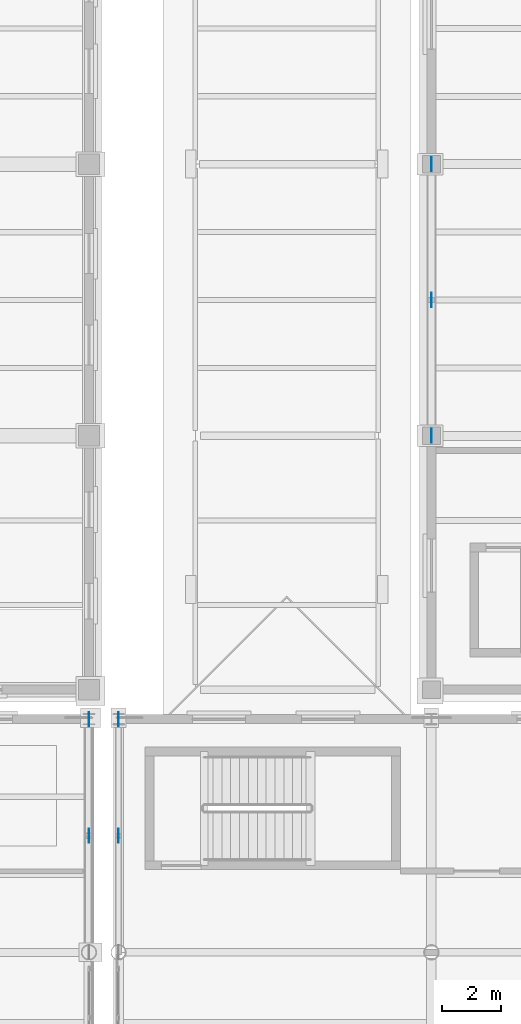
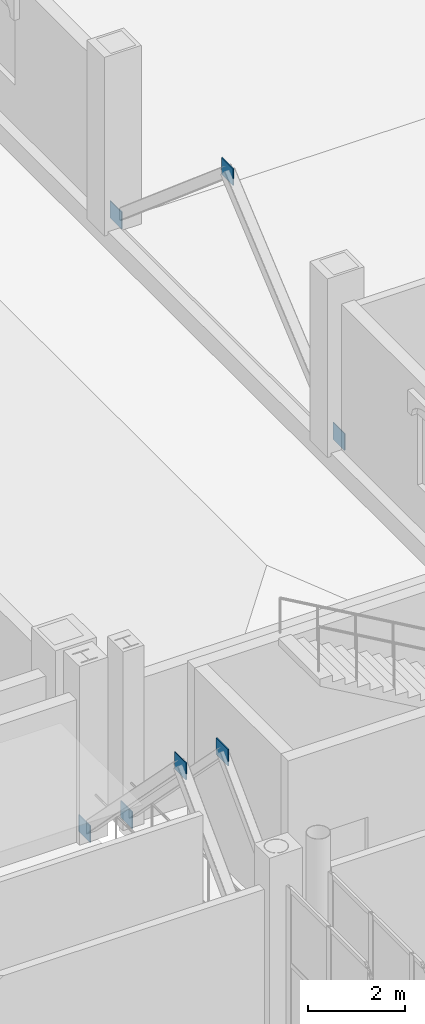
# One storey, part 115 of 156: 7 plates.
"""IFC4 building model written with IfcOpenShell, lengths in metres."""

from ifc_helpers import new_model, si_unit, direction, frame, origin, origin_2d, place, context, subcontext, project, spatial, rectangle, extrude, material, layer, layer_set, type_object, element, save


model = new_model("IFC4")

# Units and contexts
model_context = context("Model", 3, precision=1e-05, world=origin(), true_north=direction((0.0, 1.0)))
body_context = subcontext(model_context, "Body", "Model", "MODEL_VIEW")
ifc_project = project(units=[si_unit("LENGTHUNIT", "METRE"), si_unit("AREAUNIT", "SQUARE_METRE"), si_unit("VOLUMEUNIT", "CUBIC_METRE"), si_unit("PLANEANGLEUNIT", "RADIAN"), si_unit("MASSUNIT", "GRAM", prefix="KILO")], contexts=[model_context])

# Site, building, storey
site_placement = place(None, origin())
site = spatial("IfcSite", under=ifc_project, at=site_placement, CompositionType="ELEMENT")
building_placement = place(site_placement, origin())
building = spatial("IfcBuilding", under=site, at=building_placement, Name="Caurita Quay Ferry Terminal", CompositionType="ELEMENT")
storey_placement = place(building_placement, frame((0.0, 0.0, 5.39990234375)))
storey = spatial("IfcBuildingStorey", under=building, at=storey_placement, Name="L01", CompositionType="ELEMENT", Elevation=5.39990234375)

# Plates
ifc_material = material(Name="Structural plate steel ASTM A572 Gr. 50", Category="steel")
ifc_layer_1 = layer(ifc_material, 0.01806640625, Name="Structural steel connection plate 18 mm")
ifc_layer_set_1 = layer_set([ifc_layer_1], Name="Structural plate steel ASTM A572 Gr. 50")
plate_type_1 = type_object("IfcPlateType", Name="PLT-STL-18", PredefinedType="USERDEFINED", material=ifc_layer_set_1)
for number, where, z_axis, x_axis, name in (
    (1, (87.60009765625, 70.60009765625, -0.059814453125), (0.0, 0.0, 1.0), (0.0, 1.0, 0.0), "L01 Seismic Brace Gusset 12-BSR"),
    (2, (88.60009765625, 70.60009765625, -0.059814453125), (0.0, 0.0, 1.0), (0.0, 1.0, 0.0), "L01 Seismic Brace Gusset 13-BSR"),
    (3, (99.199951171875, 80.199951171875, -0.059814453125), (0.0, 0.0, 1.0), (0.0, 1.0, 0.0), "L01 Seismic Brace Gusset 15-BSL"),
    (4, (99.199951171875, 89.39990234375, -0.059814453125), (0.0, 0.0, 1.0), (0.0, 1.0, 0.0), "L01 Seismic Brace Gusset 15-BSR"),
):
    element("IfcPlate", number, at=place(storey_placement, frame(where, z_axis=z_axis, x_axis=x_axis)), inside=storey, type_object=plate_type_1, Name=name, ObjectType="GUSSET PLATE", PredefinedType="USERDEFINED", context=body_context, shape_type="SweptSolid", body=[
        extrude(rectangle(XDim=0.47998046875, YDim=0.02490234375, at=origin_2d()), origin(), (0.0, 0.0, 1.0), 0.419921875),
    ])
ifc_layer_2 = layer(ifc_material, 0.02490234375, Name="Structural steel connection plate 25 mm")
ifc_layer_set_2 = layer_set([ifc_layer_2], Name="Structural plate steel ASTM A572 Gr. 50")
plate_type_2 = type_object("IfcPlateType", Name="PLT-STL-25", PredefinedType="USERDEFINED", material=ifc_layer_set_2)
for number, where, z_axis, x_axis, name in (
    (5, (87.60009765625, 66.64990234375, 3.920166015625), (0.0, 0.0, 1.0), (0.0, 1.0, 0.0), "L01 Seismic Brace Gusset 12-APX"),
    (6, (88.60009765625, 66.64990234375, 3.920166015625), (0.0, 0.0, 1.0), (0.0, 1.0, 0.0), "L01 Seismic Brace Gusset 13-APX"),
    (7, (99.199951171875, 84.800048828125, 3.820068359375), (0.0, 0.0, 1.0), (0.0, 1.0, 0.0), "L01 Seismic Brace Gusset 15-APX"),
):
    element("IfcPlate", number, at=place(storey_placement, frame(where, z_axis=z_axis, x_axis=x_axis)), inside=storey, type_object=plate_type_2, Name=name, ObjectType="GUSSET PLATE", PredefinedType="USERDEFINED", context=body_context, shape_type="SweptSolid", body=[
        extrude(rectangle(XDim=0.47998046875, YDim=0.02490234375, at=origin_2d()), origin(), (0.0, 0.0, 1.0), 0.419921875),
    ])

save(model, "model.ifc")
